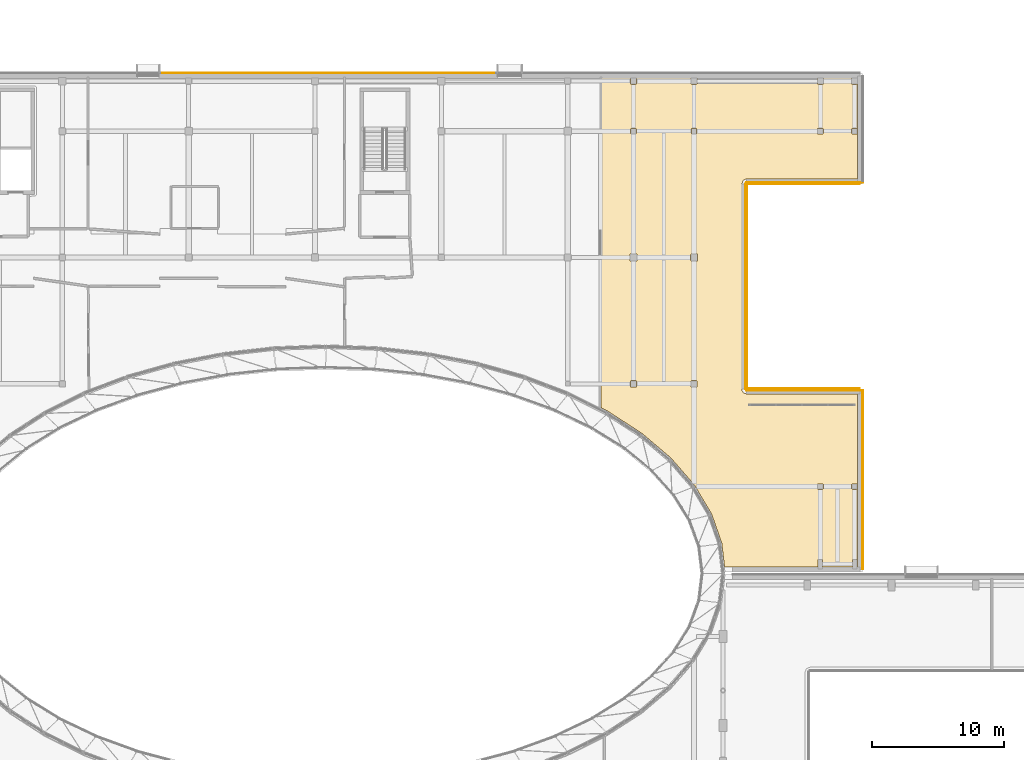
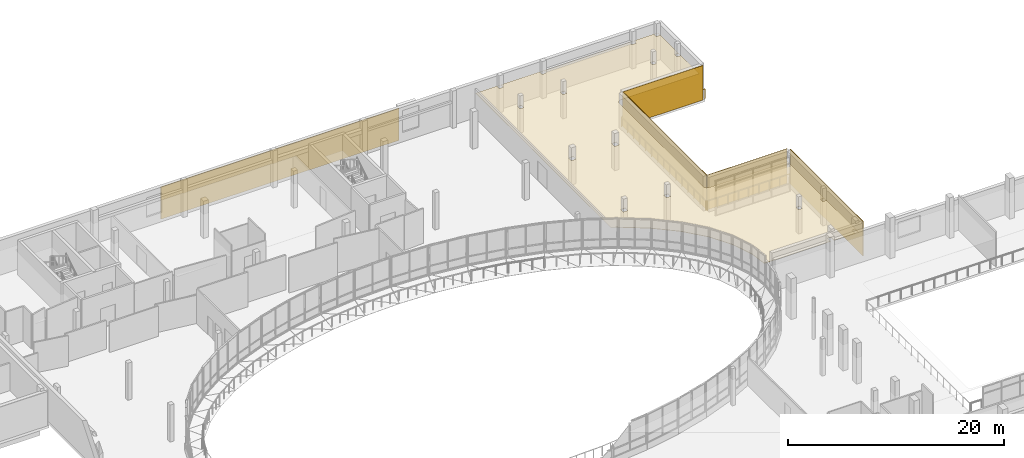
# One storey, part 71 of 73: 6 coverings, 3 railings.
"""IFC4 building model written with IfcOpenShell, lengths in metres."""

from ifc_helpers import new_model, si_unit, direction, frame, origin, origin_2d, place, context, subcontext, project, spatial, polyline, rectangle, circle, outline, extrude, material, layer, layer_set, type_object, element, save


model = new_model("IFC4")

# Units and contexts
model_context = context("Model", 3, precision=1e-05, world=origin(), true_north=direction((0.0, 1.0)))
body_context = subcontext(model_context, "Body", "Model", "MODEL_VIEW")
ifc_project = project(units=[si_unit("LENGTHUNIT", "METRE"), si_unit("AREAUNIT", "SQUARE_METRE"), si_unit("VOLUMEUNIT", "CUBIC_METRE"), si_unit("PLANEANGLEUNIT", "RADIAN"), si_unit("MASSUNIT", "GRAM", prefix="KILO")], contexts=[model_context])

# Site, building, storey
site_placement = place(None, origin())
site = spatial("IfcSite", under=ifc_project, at=site_placement, CompositionType="ELEMENT")
building_placement = place(site_placement, origin())
building = spatial("IfcBuilding", under=site, at=building_placement, Name="Mzevani Central Library", CompositionType="ELEMENT")
storey_placement = place(building_placement, frame((0.0, 0.0, 9.60009765625)))
storey = spatial("IfcBuildingStorey", under=building, at=storey_placement, Name="L02", CompositionType="ELEMENT", Elevation=9.60009765625)

# Railings
ifc_material_1 = material(Name="Brushed stainless steel rail", Category="steel")
railing_type = type_object("IfcRailingType", Name="Interior Gallery and Stair Guard 1100", PredefinedType="BALUSTRADE", material=ifc_material_1)
railing_1_placement = place(storey_placement, frame((124.85009765625, 89.89990234375, 0.0)))
element("IfcRailing", 1, at=railing_1_placement, inside=storey, type_object=railing_type, Name="L02 V3 Double-Height Void Guard 12", PredefinedType="BALUSTRADE", context=body_context, shape_type="SweptSolid", body=[
    extrude(circle(Radius=0.02392578125, at=origin_2d()), frame((0.0, 0.0, 1.076171875), z_axis=(-1.0, 0.0, 0.0), x_axis=(0.0, -1.0, 0.0)), (0.0, 0.0, 1.0), 8.85009765625),
    extrude(circle(Radius=0.02099609375, at=origin_2d()), origin(), (0.0, 0.0, 1.0), 1.052001953125),
    extrude(circle(Radius=0.02099609375, at=origin_2d()), frame((-1.106201171875, 0.0, 0.0)), (0.0, 0.0, 1.0), 1.052001953125),
    extrude(circle(Radius=0.02099609375, at=origin_2d()), frame((-2.21240234375, 0.0, 0.0)), (0.0, 0.0, 1.0), 1.052001953125),
    extrude(circle(Radius=0.02099609375, at=origin_2d()), frame((-3.31884765625, 0.0, 0.0)), (0.0, 0.0, 1.0), 1.052001953125),
    extrude(circle(Radius=0.02099609375, at=origin_2d()), frame((-4.425048828125, 0.0, 0.0)), (0.0, 0.0, 1.0), 1.052001953125),
    extrude(circle(Radius=0.02099609375, at=origin_2d()), frame((-5.53125, 0.0, 0.0)), (0.0, 0.0, 1.0), 1.052001953125),
    extrude(circle(Radius=0.02099609375, at=origin_2d()), frame((-6.6376953125, 0.0, 0.0)), (0.0, 0.0, 1.0), 1.052001953125),
    extrude(circle(Radius=0.02099609375, at=origin_2d()), frame((-7.743896484375, 0.0, 0.0)), (0.0, 0.0, 1.0), 1.052001953125),
    extrude(circle(Radius=0.02099609375, at=origin_2d()), frame((-8.85009765625, 0.0, 0.0)), (0.0, 0.0, 1.0), 1.052001953125),
])
railing_2_placement = place(storey_placement, frame((115.89990234375, 90.0, 0.0)))
element("IfcRailing", 2, at=railing_2_placement, inside=storey, type_object=railing_type, Name="L02 V3 Double-Height Void Guard 13", PredefinedType="BALUSTRADE", context=body_context, shape_type="SweptSolid", body=[
    extrude(circle(Radius=0.02392578125, at=origin_2d()), frame((0.0, 0.0, 1.076171875), z_axis=(0.0, 1.0, 0.0), x_axis=(-1.0, 0.0, 0.0)), (0.0, 0.0, 1.0), 15.60009765625),
    extrude(circle(Radius=0.02099609375, at=origin_2d()), origin(), (0.0, 0.0, 1.0), 1.052001953125),
    extrude(circle(Radius=0.02099609375, at=origin_2d()), frame((0.0, 1.1142578125, 0.0)), (0.0, 0.0, 1.0), 1.052001953125),
    extrude(circle(Radius=0.02099609375, at=origin_2d()), frame((0.0, 2.228515625, 0.0)), (0.0, 0.0, 1.0), 1.052001953125),
    extrude(circle(Radius=0.02099609375, at=origin_2d()), frame((0.0, 3.3427734375, 0.0)), (0.0, 0.0, 1.0), 1.052001953125),
    extrude(circle(Radius=0.02099609375, at=origin_2d()), frame((0.0, 4.457275390625, 0.0)), (0.0, 0.0, 1.0), 1.052001953125),
    extrude(circle(Radius=0.02099609375, at=origin_2d()), frame((0.0, 5.571533203125, 0.0)), (0.0, 0.0, 1.0), 1.052001953125),
    extrude(circle(Radius=0.02099609375, at=origin_2d()), frame((0.0, 6.685791015625, 0.0)), (0.0, 0.0, 1.0), 1.052001953125),
    extrude(circle(Radius=0.02099609375, at=origin_2d()), frame((0.0, 7.800048828125, 0.0)), (0.0, 0.0, 1.0), 1.052001953125),
    extrude(circle(Radius=0.02099609375, at=origin_2d()), frame((0.0, 8.914306640625, 0.0)), (0.0, 0.0, 1.0), 1.052001953125),
    extrude(circle(Radius=0.02099609375, at=origin_2d()), frame((0.0, 10.028564453125, 0.0)), (0.0, 0.0, 1.0), 1.052001953125),
    extrude(circle(Radius=0.02099609375, at=origin_2d()), frame((0.0, 11.142822265625, 0.0)), (0.0, 0.0, 1.0), 1.052001953125),
    extrude(circle(Radius=0.02099609375, at=origin_2d()), frame((0.0, 12.25732421875, 0.0)), (0.0, 0.0, 1.0), 1.052001953125),
    extrude(circle(Radius=0.02099609375, at=origin_2d()), frame((0.0, 13.37158203125, 0.0)), (0.0, 0.0, 1.0), 1.052001953125),
    extrude(circle(Radius=0.02099609375, at=origin_2d()), frame((0.0, 14.48583984375, 0.0)), (0.0, 0.0, 1.0), 1.052001953125),
    extrude(circle(Radius=0.02099609375, at=origin_2d()), frame((0.0, 15.60009765625, 0.0)), (0.0, 0.0, 1.0), 1.052001953125),
])
railing_3_placement = place(storey_placement, frame((116.0, 105.699951171875, 0.0)))
element("IfcRailing", 3, at=railing_3_placement, inside=storey, type_object=railing_type, Name="L02 V3 Double-Height Void Guard 14", PredefinedType="BALUSTRADE", context=body_context, shape_type="SweptSolid", body=[
    extrude(circle(Radius=0.02392578125, at=origin_2d()), frame((0.0, 0.0, 1.076171875), z_axis=(1.0, 0.0, 0.0), x_axis=(0.0, 1.0, 0.0)), (0.0, 0.0, 1.0), 8.85009765625),
    extrude(circle(Radius=0.02099609375, at=origin_2d()), origin(), (0.0, 0.0, 1.0), 1.052001953125),
    extrude(circle(Radius=0.02099609375, at=origin_2d()), frame((1.106201171875, 0.0, 0.0)), (0.0, 0.0, 1.0), 1.052001953125),
    extrude(circle(Radius=0.02099609375, at=origin_2d()), frame((2.21240234375, 0.0, 0.0)), (0.0, 0.0, 1.0), 1.052001953125),
    extrude(circle(Radius=0.02099609375, at=origin_2d()), frame((3.31884765625, 0.0, 0.0)), (0.0, 0.0, 1.0), 1.052001953125),
    extrude(circle(Radius=0.02099609375, at=origin_2d()), frame((4.425048828125, 0.0, 0.0)), (0.0, 0.0, 1.0), 1.052001953125),
    extrude(circle(Radius=0.02099609375, at=origin_2d()), frame((5.53125, 0.0, 0.0)), (0.0, 0.0, 1.0), 1.052001953125),
    extrude(circle(Radius=0.02099609375, at=origin_2d()), frame((6.6376953125, 0.0, 0.0)), (0.0, 0.0, 1.0), 1.052001953125),
    extrude(circle(Radius=0.02099609375, at=origin_2d()), frame((7.743896484375, 0.0, 0.0)), (0.0, 0.0, 1.0), 1.052001953125),
    extrude(circle(Radius=0.02099609375, at=origin_2d()), frame((8.85009765625, 0.0, 0.0)), (0.0, 0.0, 1.0), 1.052001953125),
])

# Coverings
ifc_material_2 = material(Name="Limestone ashlar cladding", Category="masonry")
ifc_layer_1 = layer(ifc_material_2, 0.050048828125, Name="Limestone Ashlar Spandrel Cladding")
ifc_layer_set_1 = layer_set([ifc_layer_1], Name="Limestone ashlar cladding")
covering_type_1 = type_object("IfcCoveringType", Name="Limestone Ashlar Spandrel Cladding", PredefinedType="CLADDING", material=ifc_layer_set_1)
covering_1_placement = place(storey_placement, frame((84.21240234375, 114.02392578125, 0.0), z_axis=(0.0, 0.0, 1.0), x_axis=(1.0, 0.0, 0.0)))
element("IfcCovering", 4, at=covering_1_placement, inside=storey, type_object=covering_type_1, Name="L02 Warm-White Facade Pier 3 (EW4-V3-L02-0054)", PredefinedType="CLADDING", context=body_context, shape_type="SweptSolid", body=[
    extrude(rectangle(XDim=25.497314453125, YDim=0.050048828125, at=origin_2d()), origin(), (0.0, 0.0, 1.0), 3.64990234375),
])
covering_2_placement = place(storey_placement, frame((120.304931640625, 105.575927734375, 0.0), z_axis=(0.0, 0.0, 1.0), x_axis=(-1.0, 0.0, 0.0)))
element("IfcCovering", 5, at=covering_2_placement, inside=storey, type_object=covering_type_1, Name="L02 Warm-White Facade Cladding (EW4-V3-L02-0056)", PredefinedType="CLADDING", context=body_context, shape_type="SweptSolid", body=[
    extrude(rectangle(XDim=8.570068359375, YDim=0.050048828125, at=origin_2d()), origin(), (0.0, 0.0, 1.0), 3.919921875),
])
covering_3_placement = place(storey_placement, frame((116.02392578125, 97.800048828125, 0.0), z_axis=(0.0, 0.0, 1.0), x_axis=(0.0, -1.0, 0.0)))
element("IfcCovering", 6, at=covering_3_placement, inside=storey, type_object=covering_type_1, Name="L02 Warm-White Facade Cladding (EW4-V3-L02-0057)", PredefinedType="CLADDING", context=body_context, shape_type="SweptSolid", body=[
    extrude(rectangle(XDim=15.56005859375, YDim=0.050048828125, at=origin_2d()), origin(), (0.0, 0.0, 1.0), 3.919921875),
])
covering_4_placement = place(storey_placement, frame((120.304931640625, 90.02392578125, 0.0), z_axis=(0.0, 0.0, 1.0), x_axis=(1.0, 0.0, 0.0)))
element("IfcCovering", 7, at=covering_4_placement, inside=storey, type_object=covering_type_1, Name="L02 Warm-White Facade Cladding (EW4-V3-L02-0058)", PredefinedType="CLADDING", context=body_context, shape_type="SweptSolid", body=[
    extrude(rectangle(XDim=8.570068359375, YDim=0.050048828125, at=origin_2d()), origin(), (0.0, 0.0, 1.0), 3.919921875),
])
covering_5_placement = place(storey_placement, frame((124.823974609375, 83.050048828125, 0.0), z_axis=(0.0, 0.0, 1.0), x_axis=(0.0, -1.0, 0.0)))
element("IfcCovering", 8, at=covering_5_placement, inside=storey, type_object=covering_type_1, Name="L02 Warm-White Facade Cladding (EW4-V3-L02-0059)", PredefinedType="CLADDING", context=body_context, shape_type="SweptSolid", body=[
    extrude(rectangle(XDim=13.47998046875, YDim=0.050048828125, at=origin_2d()), origin(), (0.0, 0.0, 1.0), 3.919921875),
])
ifc_material_3 = material(Name="Mineral wool acoustic ceiling")
ifc_layer_2 = layer(ifc_material_3, 0.0400390625, Name="Perforated Timber Acoustic Ceiling")
ifc_layer_set_2 = layer_set([ifc_layer_2], Name="Mineral wool acoustic ceiling")
covering_type_2 = type_object("IfcCoveringType", Name="Perforated Timber Acoustic Ceiling", PredefinedType="CEILING", material=ifc_layer_set_2)
covering_6_placement = place(storey_placement, frame((0.0, 0.0, 2.72998046875)))
element("IfcCovering", 9, at=covering_6_placement, inside=storey, type_object=covering_type_2, Name="L02 Stepped Atrium Study Terrace 3 Acoustic Ceiling", PredefinedType="CEILING", context=body_context, shape_type="SweptSolid", body=[
    extrude(outline(polyline([(124.4296875, 76.47705078125), (124.375, 76.469970703125), (124.375, 77.050048828125), (124.02490234375, 77.050048828125), (124.02490234375, 76.469970703125), (121.77490234375, 76.469970703125), (121.77490234375, 77.050048828125), (121.425048828125, 77.050048828125), (121.425048828125, 76.469970703125), (114.321533203125, 76.4716796875), (114.10400390625, 78.303466796875), (113.327392578125, 80.524658203125), (112.015869140625, 82.7275390625), (110.24072265625, 84.769287109375), (108.04052734375, 86.63818359375), (105.41455078125, 88.33984375), (104.92626953125, 88.58740234375), (104.930419921875, 113.62890625), (124.419921875, 113.6298828125), (124.4287109375, 113.624755859375), (124.427001953125, 105.972900390625), (115.965087890625, 105.96826171875), (115.739013671875, 105.861328125), (115.6298828125, 105.597900390625), (115.646484375, 89.892578125), (115.765380859375, 89.714599609375), (116.001708984375, 89.6298828125), (124.42822265625, 89.62548828125), (124.4296875, 76.47705078125)]), holes=[polyline([(107.625, 90.175048828125), (107.625, 90.625), (107.175048828125, 90.625), (107.175048828125, 90.175048828125), (107.625, 90.175048828125)]), polyline([(107.14990234375, 99.75), (107.64990234375, 99.75), (107.64990234375, 100.25), (107.14990234375, 100.25), (107.14990234375, 99.75)]), polyline([(107.199951171875, 109.800048828125), (107.199951171875, 109.39990234375), (107.60009765625, 109.39990234375), (107.60009765625, 109.800048828125), (107.199951171875, 109.800048828125)]), polyline([(107.625, 113.625), (107.175048828125, 113.625), (107.175048828125, 113.175048828125), (107.625, 113.175048828125), (107.625, 113.625)]), polyline([(112.22509765625, 90.175048828125), (112.22509765625, 90.625), (111.77490234375, 90.625), (111.77490234375, 90.175048828125), (112.22509765625, 90.175048828125)]), polyline([(111.75, 99.75), (112.25, 99.75), (112.25, 100.25), (111.75, 100.25), (111.75, 99.75)]), polyline([(111.800048828125, 109.800048828125), (111.800048828125, 109.39990234375), (112.199951171875, 109.39990234375), (112.199951171875, 109.800048828125), (111.800048828125, 109.800048828125)]), polyline([(112.22509765625, 113.625), (111.77490234375, 113.625), (111.77490234375, 113.175048828125), (112.22509765625, 113.175048828125), (112.22509765625, 113.625)]), polyline([(121.39990234375, 82.39990234375), (121.800048828125, 82.39990234375), (121.800048828125, 82.800048828125), (121.39990234375, 82.800048828125), (121.39990234375, 82.39990234375)]), polyline([(121.39990234375, 109.800048828125), (121.39990234375, 109.39990234375), (121.800048828125, 109.39990234375), (121.800048828125, 109.800048828125), (121.39990234375, 109.800048828125)]), polyline([(121.824951171875, 113.625), (121.375, 113.625), (121.375, 113.175048828125), (121.824951171875, 113.175048828125), (121.824951171875, 113.625)]), polyline([(124.0, 82.39990234375), (124.39990234375, 82.39990234375), (124.39990234375, 82.800048828125), (124.0, 82.800048828125), (124.0, 82.39990234375)]), polyline([(124.0, 109.800048828125), (124.0, 109.39990234375), (124.39990234375, 109.39990234375), (124.39990234375, 109.800048828125), (124.0, 109.800048828125)]), polyline([(124.425048828125, 113.625), (123.97509765625, 113.625), (123.97509765625, 113.175048828125), (124.425048828125, 113.175048828125), (124.425048828125, 113.625)])]), origin(), (0.0, 0.0, 1.0), 0.0400390625),
])

save(model, "model.ifc")
